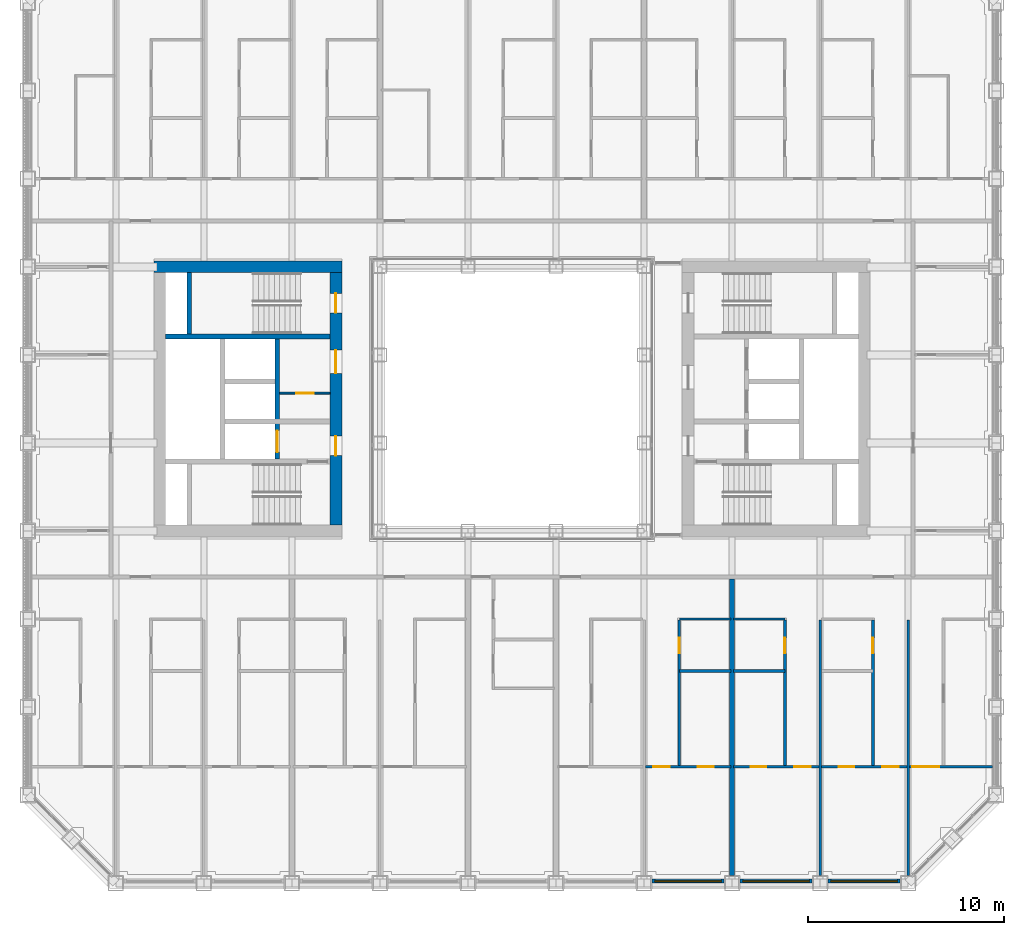
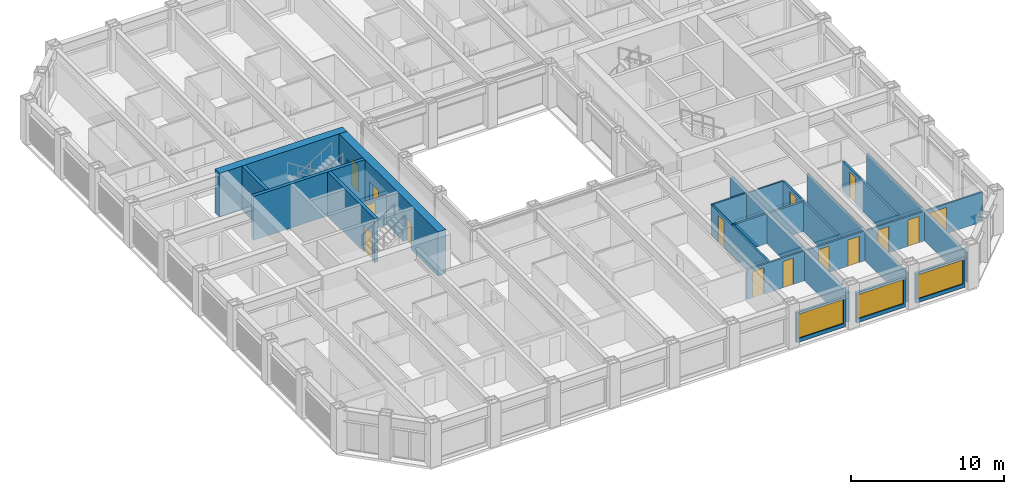
# One storey, part 11 of 21: 23 walls, 15 doors, 3 windows, 18 openings.
"""IFC4 building model written with IfcOpenShell, lengths in metres."""

from ifc_helpers import new_model, si_unit, direction, frame, frame_2d, origin, place, context, subcontext, project, spatial, rectangle, extrude, material, layer, layer_set, type_object, element, fill, save


model = new_model("IFC4")

# Units and contexts
model_context = context("Model", 3, precision=1e-05, world=origin(), true_north=direction((0.0, 1.0)))
body_context = subcontext(model_context, "Body", "Model", "MODEL_VIEW")
ifc_project = project(units=[si_unit("LENGTHUNIT", "METRE"), si_unit("AREAUNIT", "SQUARE_METRE"), si_unit("VOLUMEUNIT", "CUBIC_METRE"), si_unit("PLANEANGLEUNIT", "RADIAN"), si_unit("MASSUNIT", "GRAM", prefix="KILO")], contexts=[model_context])

# Site, building, storey
site_placement = place(None, origin())
site = spatial("IfcSite", under=ifc_project, at=site_placement, CompositionType="ELEMENT")
building_placement = place(site_placement, origin())
building = spatial("IfcBuilding", under=site, at=building_placement, Name="Msasa Ring Tower", CompositionType="ELEMENT")
storey_placement = place(building_placement, frame((0.0, 0.0, 75.5)))
storey = spatial("IfcBuildingStorey", under=building, at=storey_placement, Name="L19", CompositionType="ELEMENT", Elevation=75.5)

# Wall
ifc_material_1 = material(Name="Concrete C60/75", Category="concrete")
ifc_layer_1 = layer(ifc_material_1, 0.60009765625)
ifc_layer_set_1 = layer_set([ifc_layer_1], Name="CW1 CORE WALL 600")
wall_type_1 = type_object("IfcWallType", Name="CW1 CORE WALL 600", PredefinedType="SHEAR", material=ifc_layer_set_1)
wall_1_placement = place(storey_placement, frame((-8.699951171875, 6.75, 0.0), z_axis=(0.0, 0.0, 1.0), x_axis=(-1.0, 0.0, 0.0)))
element("IfcWall", 1, at=wall_1_placement, inside=storey, type_object=wall_type_1, Name="W core wall N L19", PredefinedType="SHEAR", context=body_context, shape_type="SweptSolid", body=[
    extrude(rectangle(XDim=9.60009765625, YDim=0.60009765625, at=frame_2d((4.800048828125, 0.0))), origin(), (0.0, 0.0, 1.0), 3.5),
])

# Wall, openings, doors
wall_2_placement = place(storey_placement, frame((-9.0, -6.449951171875, 0.0), z_axis=(0.0, 0.0, 1.0), x_axis=(0.0, 1.0, 0.0)))
wall_2 = element("IfcWall", 2, at=wall_2_placement, inside=storey, type_object=wall_type_1, Name="W core wall W L19", PredefinedType="SHEAR", context=body_context, shape_type="SweptSolid", body=[
    extrude(rectangle(XDim=12.89990234375, YDim=0.60009765625, at=frame_2d((6.449951171875, 0.0))), origin(), (0.0, 0.0, 1.0), 3.5),
])
opening_1_placement = place(wall_2_placement, frame((3.550048828125, 0.0, 0.0)))
opening_1 = element("IfcOpeningElement", 3, at=opening_1_placement, cuts=wall_2, Name="Opening RE-049", PredefinedType="OPENING", context=body_context, shape_type="SweptSolid", body=[
    extrude(rectangle(XDim=1.0, YDim=2.10009765625, at=frame_2d((0.5, 1.050048828125))), frame((0.0, 0.31005859375, 0.0), z_axis=(0.0, -1.0, 0.0), x_axis=(1.0, 0.0, 0.0)), (0.0, 0.0, 1.0), 0.6201171875),
])
opening_2_placement = place(wall_2_placement, frame((7.75, 0.0, 0.0)))
opening_2 = element("IfcOpeningElement", 4, at=opening_2_placement, cuts=wall_2, Name="Opening RE-044", PredefinedType="OPENING", context=body_context, shape_type="SweptSolid", body=[
    extrude(rectangle(XDim=1.199951171875, YDim=2.10009765625, at=frame_2d((0.60009765625, 1.050048828125))), frame((0.0, 0.31005859375, 0.0), z_axis=(0.0, -1.0, 0.0), x_axis=(1.0, 0.0, 0.0)), (0.0, 0.0, 1.0), 0.6201171875),
])
opening_3_placement = place(wall_2_placement, frame((10.85009765625, 0.0, 0.0)))
opening_3 = element("IfcOpeningElement", 5, at=opening_3_placement, cuts=wall_2, Name="Opening RE-040", PredefinedType="OPENING", context=body_context, shape_type="SweptSolid", body=[
    extrude(rectangle(XDim=1.0, YDim=2.10009765625, at=frame_2d((0.5, 1.050048828125))), frame((0.0, 0.31005859375, 0.0), z_axis=(0.0, -1.0, 0.0), x_axis=(1.0, 0.0, 0.0)), (0.0, 0.0, 1.0), 0.6201171875),
])
ifc_material_2 = material(Name="Timber door leaf in a steel frame", Category="steel")
door_type_1 = type_object("IfcDoorType", Name="D26 WIDE SERVICE ROOM DOOR 1200x2100", OperationType="SINGLE_SWING_LEFT", PredefinedType="DOOR", material=ifc_material_2)
door_1_placement = place(opening_2_placement, origin())
door_1 = element("IfcDoor", 6, at=door_1_placement, inside=storey, type_object=door_type_1, Name="Door L19-WCR", OperationType="SINGLE_SWING_RIGHT", OverallHeight=2.10009765625, OverallWidth=1.199951171875, PredefinedType="DOOR", context=body_context, shape_type="SweptSolid", body=[
    extrude(rectangle(XDim=1.199951171875, YDim=2.10009765625, at=frame_2d((0.60009765625, 1.050048828125))), frame((0.0, 0.02490234375, 0.0), z_axis=(0.0, -1.0, 0.0), x_axis=(1.0, 0.0, 0.0)), (0.0, 0.0, 1.0), 0.050048828125),
])
fill(opening_2, door_1)
ifc_material_3 = material(Name="Timber door leaf in a steel frame", Category="steel")
door_type_2 = type_object("IfcDoorType", Name="D4 LOBBY DOOR 1000x2100", OperationType="SINGLE_SWING_LEFT", PredefinedType="DOOR", material=ifc_material_3)
door_2_placement = place(opening_1_placement, origin())
door_2 = element("IfcDoor", 7, at=door_2_placement, inside=storey, type_object=door_type_2, Name="Door L19-WFFL", OperationType="SINGLE_SWING_LEFT", OverallHeight=2.10009765625, OverallWidth=1.0, PredefinedType="DOOR", context=body_context, shape_type="SweptSolid", body=[
    extrude(rectangle(XDim=1.0, YDim=2.10009765625, at=frame_2d((0.5, 1.050048828125))), frame((0.0, 0.02490234375, 0.0), z_axis=(0.0, -1.0, 0.0), x_axis=(1.0, 0.0, 0.0)), (0.0, 0.0, 1.0), 0.050048828125),
])
fill(opening_1, door_2)
ifc_material_4 = material(Name="Timber door leaf in a steel frame", Category="steel")
door_type_3 = type_object("IfcDoorType", Name="D6 STAIR DOOR 1000x2100", OperationType="SINGLE_SWING_LEFT", PredefinedType="DOOR", material=ifc_material_4)
door_3_placement = place(opening_3_placement, origin())
door_3 = element("IfcDoor", 8, at=door_3_placement, inside=storey, type_object=door_type_3, Name="Door L19-WSTB", OperationType="SINGLE_SWING_RIGHT", OverallHeight=2.10009765625, OverallWidth=1.0, PredefinedType="DOOR", context=body_context, shape_type="SweptSolid", body=[
    extrude(rectangle(XDim=1.0, YDim=2.10009765625, at=frame_2d((0.5, 1.050048828125))), frame((0.0, 0.02490234375, 0.0), z_axis=(0.0, -1.0, 0.0), x_axis=(1.0, 0.0, 0.0)), (0.0, 0.0, 1.0), 0.050048828125),
])
fill(opening_3, door_3)

# Walls
ifc_material_5 = material(Name="Concrete C60/75", Category="concrete")
ifc_layer_2 = layer(ifc_material_5, 0.25)
ifc_layer_set_2 = layer_set([ifc_layer_2], Name="CW4 CORE INNER WALL 250")
wall_type_2 = type_object("IfcWallType", Name="CW4 CORE INNER WALL 250", PredefinedType="SHEAR", material=ifc_layer_set_2)
wall_3_placement = place(storey_placement, frame((-9.300048828125, 3.199951171875, 0.0), z_axis=(0.0, 0.0, 1.0), x_axis=(-1.0, 0.0, 0.0)))
element("IfcWall", 9, at=wall_3_placement, inside=storey, type_object=wall_type_2, Name="W core wall STAIRB L19", PredefinedType="SHEAR", context=body_context, shape_type="SweptSolid", body=[
    extrude(rectangle(XDim=8.39990234375, YDim=0.25, at=frame_2d((4.199951171875, 0.0))), origin(), (0.0, 0.0, 1.0), 3.5),
])
wall_4_placement = place(storey_placement, frame((-16.5, 3.324951171875, 0.0), z_axis=(0.0, 0.0, 1.0), x_axis=(0.0, 1.0, 0.0)))
element("IfcWall", 10, at=wall_4_placement, inside=storey, type_object=wall_type_2, Name="W core wall RISERB L19", PredefinedType="SHEAR", context=body_context, shape_type="SweptSolid", body=[
    extrude(rectangle(XDim=3.125, YDim=0.25, at=frame_2d((1.5625, 0.0))), origin(), (0.0, 0.0, 1.0), 3.5),
])

# Wall, opening, door
wall_5_placement = place(storey_placement, frame((-12.0, -3.074951171875, 0.0), z_axis=(0.0, 0.0, 1.0), x_axis=(0.0, 1.0, 0.0)))
wall_5 = element("IfcWall", 11, at=wall_5_placement, inside=storey, type_object=wall_type_2, Name="W core wall LOBBY L19", PredefinedType="SHEAR", context=body_context, shape_type="SweptSolid", body=[
    extrude(rectangle(XDim=6.14990234375, YDim=0.25, at=frame_2d((3.074951171875, 0.0))), origin(), (0.0, 0.0, 1.0), 3.5),
])
opening_4_placement = place(wall_5_placement, frame((0.35009765625, 0.0, 0.0)))
opening_4 = element("IfcOpeningElement", 12, at=opening_4_placement, cuts=wall_5, Name="Opening LD1", PredefinedType="OPENING", context=body_context, shape_type="SweptSolid", body=[
    extrude(rectangle(XDim=1.10009765625, YDim=2.10009765625, at=frame_2d((0.550048828125, 1.050048828125))), frame((0.0, 0.135009765625, 0.0), z_axis=(0.0, -1.0, 0.0), x_axis=(1.0, 0.0, 0.0)), (0.0, 0.0, 1.0), 0.27001953125),
])
ifc_material_6 = material(Name="Stainless steel lift landing door", Category="steel")
door_type_4 = type_object("IfcDoorType", Name="LD1 LIFT LANDING DOOR 1100x2100", OperationType="DOUBLE_DOOR_SLIDING", PredefinedType="DOOR", material=ifc_material_6)
door_4_placement = place(opening_4_placement, origin())
door_4 = element("IfcDoor", 13, at=door_4_placement, inside=storey, type_object=door_type_4, Name="Lift landing door FL-W L19", OperationType="DOUBLE_DOOR_SLIDING", OverallHeight=2.10009765625, OverallWidth=1.10009765625, PredefinedType="DOOR", context=body_context, shape_type="SweptSolid", body=[
    extrude(rectangle(XDim=1.10009765625, YDim=2.10009765625, at=frame_2d((0.550048828125, 1.050048828125))), frame((0.0, 0.02490234375, 0.0), z_axis=(0.0, -1.0, 0.0), x_axis=(1.0, 0.0, 0.0)), (0.0, 0.0, 1.0), 0.050048828125),
])
fill(opening_4, door_4)

# Wall, opening, window
ifc_material_7 = material(Name="Terracotta rainscreen on blockwork", Category="masonry")
ifc_layer_3 = layer(ifc_material_7, 0.199951171875)
ifc_layer_set_3 = layer_set([ifc_layer_3], Name="FW1 TERRACOTTA-LINED INFILL BAY WALL 200")
wall_type_3 = type_object("IfcWallType", Name="FW1 TERRACOTTA-LINED INFILL BAY WALL 200", PredefinedType="SOLIDWALL", material=ifc_layer_set_3)
wall_6_placement = place(storey_placement, frame((7.155029296875, -24.64990234375, 0.0), z_axis=(0.0, 0.0, 1.0), x_axis=(1.0, 0.0, 0.0)))
wall_6 = element("IfcWall", 14, at=wall_6_placement, inside=storey, type_object=wall_type_3, Name="Infill bay wall S L19 06", PredefinedType="SOLIDWALL", context=body_context, shape_type="SweptSolid", body=[
    extrude(rectangle(XDim=3.68994140625, YDim=0.199951171875, at=frame_2d((1.844970703125, 0.0))), origin(), (0.0, 0.0, 1.0), 2.37890625),
])
opening_5_placement = place(wall_6_placement, frame((0.14501953125, 0.0, 0.300048828125)))
opening_5 = element("IfcOpeningElement", 15, at=opening_5_placement, cuts=wall_6, Name="Opening WN1", PredefinedType="OPENING", context=body_context, shape_type="SweptSolid", body=[
    extrude(rectangle(XDim=3.39990234375, YDim=1.928955078125, at=frame_2d((1.699951171875, 0.96435546875))), frame((0.0, 0.10986328125, 0.0), z_axis=(0.0, -1.0, 0.0), x_axis=(1.0, 0.0, 0.0)), (0.0, 0.0, 1.0), 0.219970703125),
])
ifc_material_8 = material(Name="Aluminium frame with clear glass", Category="aluminium")
window_type = type_object("IfcWindowType", Name="WN1 RESIDENCE WINDOW 3400x1929", PartitioningType="SINGLE_PANEL", PredefinedType="WINDOW", material=ifc_material_8)
window_1_placement = place(opening_5_placement, origin())
window_1 = element("IfcWindow", 16, at=window_1_placement, inside=storey, type_object=window_type, Name="Window S L19 06", OverallHeight=1.928955078125, OverallWidth=3.39990234375, PartitioningType="SINGLE_PANEL", PredefinedType="WINDOW", context=body_context, shape_type="SweptSolid", body=[
    extrude(rectangle(XDim=3.39990234375, YDim=1.928955078125, at=frame_2d((1.699951171875, 0.96435546875))), frame((0.0, 0.030029296875, 0.0), z_axis=(0.0, -1.0, 0.0), x_axis=(1.0, 0.0, 0.0)), (0.0, 0.0, 1.0), 0.06005859375),
])
fill(opening_5, window_1)

wall_7_placement = place(storey_placement, frame((11.655029296875, -24.64990234375, 0.0), z_axis=(0.0, 0.0, 1.0), x_axis=(1.0, 0.0, 0.0)))
wall_7 = element("IfcWall", 17, at=wall_7_placement, inside=storey, type_object=wall_type_3, Name="Infill bay wall S L19 07", PredefinedType="SOLIDWALL", context=body_context, shape_type="SweptSolid", body=[
    extrude(rectangle(XDim=3.68994140625, YDim=0.199951171875, at=frame_2d((1.844970703125, 0.0))), origin(), (0.0, 0.0, 1.0), 2.37890625),
])
opening_6_placement = place(wall_7_placement, frame((0.14501953125, 0.0, 0.300048828125)))
opening_6 = element("IfcOpeningElement", 18, at=opening_6_placement, cuts=wall_7, Name="Opening WN1", PredefinedType="OPENING", context=body_context, shape_type="SweptSolid", body=[
    extrude(rectangle(XDim=3.39990234375, YDim=1.928955078125, at=frame_2d((1.699951171875, 0.96435546875))), frame((0.0, 0.10986328125, 0.0), z_axis=(0.0, -1.0, 0.0), x_axis=(1.0, 0.0, 0.0)), (0.0, 0.0, 1.0), 0.219970703125),
])
window_2_placement = place(opening_6_placement, origin())
window_2 = element("IfcWindow", 19, at=window_2_placement, inside=storey, type_object=window_type, Name="Window S L19 07", OverallHeight=1.928955078125, OverallWidth=3.39990234375, PartitioningType="SINGLE_PANEL", PredefinedType="WINDOW", context=body_context, shape_type="SweptSolid", body=[
    extrude(rectangle(XDim=3.39990234375, YDim=1.928955078125, at=frame_2d((1.699951171875, 0.96435546875))), frame((0.0, 0.030029296875, 0.0), z_axis=(0.0, -1.0, 0.0), x_axis=(1.0, 0.0, 0.0)), (0.0, 0.0, 1.0), 0.06005859375),
])
fill(opening_6, window_2)

wall_8_placement = place(storey_placement, frame((16.155029296875, -24.64990234375, 0.0), z_axis=(0.0, 0.0, 1.0), x_axis=(1.0, 0.0, 0.0)))
wall_8 = element("IfcWall", 20, at=wall_8_placement, inside=storey, type_object=wall_type_3, Name="Infill bay wall S L19 08", PredefinedType="SOLIDWALL", context=body_context, shape_type="SweptSolid", body=[
    extrude(rectangle(XDim=3.68994140625, YDim=0.199951171875, at=frame_2d((1.844970703125, 0.0))), origin(), (0.0, 0.0, 1.0), 2.37890625),
])
opening_7_placement = place(wall_8_placement, frame((0.14501953125, 0.0, 0.300048828125)))
opening_7 = element("IfcOpeningElement", 21, at=opening_7_placement, cuts=wall_8, Name="Opening WN1", PredefinedType="OPENING", context=body_context, shape_type="SweptSolid", body=[
    extrude(rectangle(XDim=3.39990234375, YDim=1.928955078125, at=frame_2d((1.699951171875, 0.96435546875))), frame((0.0, 0.10986328125, 0.0), z_axis=(0.0, -1.0, 0.0), x_axis=(1.0, 0.0, 0.0)), (0.0, 0.0, 1.0), 0.219970703125),
])
window_3_placement = place(opening_7_placement, origin())
window_3 = element("IfcWindow", 22, at=window_3_placement, inside=storey, type_object=window_type, Name="Window S L19 08", OverallHeight=1.928955078125, OverallWidth=3.39990234375, PartitioningType="SINGLE_PANEL", PredefinedType="WINDOW", context=body_context, shape_type="SweptSolid", body=[
    extrude(rectangle(XDim=3.39990234375, YDim=1.928955078125, at=frame_2d((1.699951171875, 0.96435546875))), frame((0.0, 0.030029296875, 0.0), z_axis=(0.0, -1.0, 0.0), x_axis=(1.0, 0.0, 0.0)), (0.0, 0.0, 1.0), 0.06005859375),
])
fill(opening_7, window_3)

# Wall, opening, door
ifc_material_9 = material(Name="Gypsum board on steel studs", Category="steel")
ifc_layer_4 = layer(ifc_material_9, 0.10009765625)
ifc_layer_set_4 = layer_set([ifc_layer_4], Name="PT2 STUD PARTITION 100")
wall_type_4 = type_object("IfcWallType", Name="PT2 STUD PARTITION 100", PredefinedType="PARTITIONING", material=ifc_layer_set_4)
wall_9_placement = place(storey_placement, frame((-11.875, 0.300048828125, 0.0), z_axis=(0.0, 0.0, 1.0), x_axis=(1.0, 0.0, 0.0)))
wall_9 = element("IfcWall", 23, at=wall_9_placement, inside=storey, type_object=wall_type_4, Name="Partition L19-WCP", PredefinedType="PARTITIONING", context=body_context, shape_type="SweptSolid", body=[
    extrude(rectangle(XDim=2.574951171875, YDim=0.10009765625, at=frame_2d((1.28759765625, 0.0))), origin(), (0.0, 0.0, 1.0), 2.373291015625),
])
opening_8_placement = place(wall_9_placement, frame((0.83740234375, 0.0, 0.0)))
opening_8 = element("IfcOpeningElement", 24, at=opening_8_placement, cuts=wall_9, Name="Opening RE-046", PredefinedType="OPENING", context=body_context, shape_type="SweptSolid", body=[
    extrude(rectangle(XDim=0.89990234375, YDim=2.10009765625, at=frame_2d((0.449951171875, 1.050048828125))), frame((0.0, 0.06005859375, 0.0), z_axis=(0.0, -1.0, 0.0), x_axis=(1.0, 0.0, 0.0)), (0.0, 0.0, 1.0), 0.1201171875),
])
ifc_material_10 = material(Name="Timber door leaf in a steel frame", Category="steel")
door_type_5 = type_object("IfcDoorType", Name="D22 INTERNAL HALL DOOR 900x2100", OperationType="SINGLE_SWING_LEFT", PredefinedType="DOOR", material=ifc_material_10)
door_5_placement = place(opening_8_placement, origin())
door_5 = element("IfcDoor", 25, at=door_5_placement, inside=storey, type_object=door_type_5, Name="Door L19-WCP", OperationType="SINGLE_SWING_LEFT", OverallHeight=2.10009765625, OverallWidth=0.89990234375, PredefinedType="DOOR", context=body_context, shape_type="SweptSolid", body=[
    extrude(rectangle(XDim=0.89990234375, YDim=2.10009765625, at=frame_2d((0.449951171875, 1.050048828125))), frame((0.0, 0.02490234375, 0.0), z_axis=(0.0, -1.0, 0.0), x_axis=(1.0, 0.0, 0.0)), (0.0, 0.0, 1.0), 0.050048828125),
])
fill(opening_8, door_5)

# Wall
ifc_material_11 = material(Name="Dense concrete blockwork, plastered both faces", Category="masonry")
ifc_layer_5 = layer(ifc_material_11, 0.25)
ifc_layer_set_5 = layer_set([ifc_layer_5], Name="PT3 APARTMENT SEPARATING WALL 250")
wall_type_5 = type_object("IfcWallType", Name="PT3 APARTMENT SEPARATING WALL 250", PredefinedType="PARTITIONING", material=ifc_layer_set_5)
wall_10_placement = place(storey_placement, frame((11.25, -24.35009765625, 0.0), z_axis=(0.0, 0.0, 1.0), x_axis=(0.0, 1.0, 0.0)))
element("IfcWall", 26, at=wall_10_placement, inside=storey, type_object=wall_type_5, Name="Party wall L19-PWS+11.25", PredefinedType="PARTITIONING", context=body_context, shape_type="SweptSolid", body=[
    extrude(rectangle(XDim=15.150146484375, YDim=0.25, at=frame_2d((7.5751953125, 0.0))), origin(), (0.0, 0.0, 1.0), 2.373291015625),
])

# Wall, opening, door
ifc_material_12 = material(Name="Moisture-resistant board on steel studs with a concealed cistern and pipe void, tiled", Category="steel")
ifc_layer_6 = layer(ifc_material_12, 0.14990234375)
ifc_layer_set_6 = layer_set([ifc_layer_6], Name="PT4 BATHROOM WET WALL 150")
wall_type_6 = type_object("IfcWallType", Name="PT4 BATHROOM WET WALL 150", PredefinedType="PARTITIONING", material=ifc_layer_set_6)
wall_11_placement = place(storey_placement, frame((8.550048828125, -18.8125, 0.0), z_axis=(0.0, 0.0, 1.0), x_axis=(0.0, 1.0, 0.0)))
wall_11 = element("IfcWall", 27, at=wall_11_placement, inside=storey, type_object=wall_type_6, Name="Partition L19-US03SX1", PredefinedType="PARTITIONING", context=body_context, shape_type="SweptSolid", body=[
    extrude(rectangle(XDim=7.5, YDim=0.14990234375, at=frame_2d((3.75, 0.0))), origin(), (0.0, 0.0, 1.0), 2.373291015625),
])
opening_9_placement = place(wall_11_placement, frame((5.800048828125, 0.0, 0.0)))
opening_9 = element("IfcOpeningElement", 28, at=opening_9_placement, cuts=wall_11, Name="Opening RE-065", PredefinedType="OPENING", context=body_context, shape_type="SweptSolid", body=[
    extrude(rectangle(XDim=0.800048828125, YDim=2.10009765625, at=frame_2d((0.39990234375, 1.050048828125))), frame((0.0, 0.0849609375, 0.0), z_axis=(0.0, -1.0, 0.0), x_axis=(1.0, 0.0, 0.0)), (0.0, 0.0, 1.0), 0.169921875),
])
ifc_material_13 = material(Name="Timber door leaf in a steel frame", Category="steel")
door_type_6 = type_object("IfcDoorType", Name="D21 POCKET SLIDING BATHROOM DOOR 800x2100", OperationType="SINGLE_SWING_LEFT", PredefinedType="DOOR", material=ifc_material_13)
door_6_placement = place(opening_9_placement, origin())
door_6 = element("IfcDoor", 29, at=door_6_placement, inside=storey, type_object=door_type_6, Name="Door L19-US03B1", OperationType="SINGLE_SWING_RIGHT", OverallHeight=2.10009765625, OverallWidth=0.800048828125, PredefinedType="DOOR", context=body_context, shape_type="SweptSolid", body=[
    extrude(rectangle(XDim=0.800048828125, YDim=2.10009765625, at=frame_2d((0.39990234375, 1.050048828125))), frame((0.0, 0.02490234375, 0.0), z_axis=(0.0, -1.0, 0.0), x_axis=(1.0, 0.0, 0.0)), (0.0, 0.0, 1.0), 0.050048828125),
])
fill(opening_9, door_6)

# Wall
wall_12_placement = place(storey_placement, frame((8.550048828125, -13.91259765625, 0.0), z_axis=(0.0, 0.0, 1.0), x_axis=(1.0, 0.0, 0.0)))
element("IfcWall", 30, at=wall_12_placement, inside=storey, type_object=wall_type_6, Name="Partition L19-US03SB1", PredefinedType="PARTITIONING", context=body_context, shape_type="SweptSolid", body=[
    extrude(rectangle(XDim=2.632568359375, YDim=0.14990234375, at=frame_2d((1.31640625, 0.0))), origin(), (0.0, 0.0, 1.0), 2.373291015625),
])

# Wall, opening, door
wall_13_placement = place(storey_placement, frame((18.449951171875, -18.8125, 0.0), z_axis=(0.0, 0.0, 1.0), x_axis=(0.0, 1.0, 0.0)))
wall_13 = element("IfcWall", 31, at=wall_13_placement, inside=storey, type_object=wall_type_6, Name="Partition L19-US04SX1", PredefinedType="PARTITIONING", context=body_context, shape_type="SweptSolid", body=[
    extrude(rectangle(XDim=7.5, YDim=0.14990234375, at=frame_2d((3.75, 0.0))), origin(), (0.0, 0.0, 1.0), 2.373291015625),
])
opening_10_placement = place(wall_13_placement, frame((5.800048828125, 0.0, 0.0)))
opening_10 = element("IfcOpeningElement", 32, at=opening_10_placement, cuts=wall_13, Name="Opening RE-067", PredefinedType="OPENING", context=body_context, shape_type="SweptSolid", body=[
    extrude(rectangle(XDim=0.800048828125, YDim=2.10009765625, at=frame_2d((0.39990234375, 1.050048828125))), frame((0.0, 0.0849609375, 0.0), z_axis=(0.0, -1.0, 0.0), x_axis=(1.0, 0.0, 0.0)), (0.0, 0.0, 1.0), 0.169921875),
])
door_7_placement = place(opening_10_placement, origin())
door_7 = element("IfcDoor", 33, at=door_7_placement, inside=storey, type_object=door_type_6, Name="Door L19-US04B1", OperationType="SINGLE_SWING_RIGHT", OverallHeight=2.10009765625, OverallWidth=0.800048828125, PredefinedType="DOOR", context=body_context, shape_type="SweptSolid", body=[
    extrude(rectangle(XDim=0.800048828125, YDim=2.10009765625, at=frame_2d((0.39990234375, 1.050048828125))), frame((0.0, 0.02490234375, 0.0), z_axis=(0.0, -1.0, 0.0), x_axis=(1.0, 0.0, 0.0)), (0.0, 0.0, 1.0), 0.050048828125),
])
fill(opening_10, door_7)

wall_14_placement = place(storey_placement, frame((13.949951171875, -18.8125, 0.0), z_axis=(0.0, 0.0, 1.0), x_axis=(0.0, 1.0, 0.0)))
wall_14 = element("IfcWall", 34, at=wall_14_placement, inside=storey, type_object=wall_type_6, Name="Partition L19-US04SX2", PredefinedType="PARTITIONING", context=body_context, shape_type="SweptSolid", body=[
    extrude(rectangle(XDim=7.5, YDim=0.14990234375, at=frame_2d((3.75, 0.0))), origin(), (0.0, 0.0, 1.0), 2.373291015625),
])
opening_11_placement = place(wall_14_placement, frame((5.800048828125, 0.0, 0.0)))
opening_11 = element("IfcOpeningElement", 35, at=opening_11_placement, cuts=wall_14, Name="Opening RE-066", PredefinedType="OPENING", context=body_context, shape_type="SweptSolid", body=[
    extrude(rectangle(XDim=0.800048828125, YDim=2.10009765625, at=frame_2d((0.39990234375, 1.050048828125))), frame((0.0, 0.0849609375, 0.0), z_axis=(0.0, -1.0, 0.0), x_axis=(1.0, 0.0, 0.0)), (0.0, 0.0, 1.0), 0.169921875),
])
door_8_placement = place(opening_11_placement, origin())
door_8 = element("IfcDoor", 36, at=door_8_placement, inside=storey, type_object=door_type_6, Name="Door L19-US04B2", OperationType="SINGLE_SWING_RIGHT", OverallHeight=2.10009765625, OverallWidth=0.800048828125, PredefinedType="DOOR", context=body_context, shape_type="SweptSolid", body=[
    extrude(rectangle(XDim=0.800048828125, YDim=2.10009765625, at=frame_2d((0.39990234375, 1.050048828125))), frame((0.0, 0.02490234375, 0.0), z_axis=(0.0, -1.0, 0.0), x_axis=(1.0, 0.0, 0.0)), (0.0, 0.0, 1.0), 0.050048828125),
])
fill(opening_11, door_8)

# Walls
wall_15_placement = place(storey_placement, frame((11.3173828125, -13.91259765625, 0.0), z_axis=(0.0, 0.0, 1.0), x_axis=(1.0, 0.0, 0.0)))
element("IfcWall", 37, at=wall_15_placement, inside=storey, type_object=wall_type_6, Name="Partition L19-US04SB2", PredefinedType="PARTITIONING", context=body_context, shape_type="SweptSolid", body=[
    extrude(rectangle(XDim=2.632568359375, YDim=0.14990234375, at=frame_2d((1.31640625, 0.0))), origin(), (0.0, 0.0, 1.0), 2.373291015625),
])
ifc_material_14 = material(Name="Two layers of acoustic board each face on steel studs, mineral wool", Category="steel")
ifc_layer_7 = layer(ifc_material_14, 0.125)
ifc_layer_set_7 = layer_set([ifc_layer_7], Name="PT6 ACOUSTIC DOUBLE-BOARD PARTITION 125")
wall_type_7 = type_object("IfcWallType", Name="PT6 ACOUSTIC DOUBLE-BOARD PARTITION 125", PredefinedType="PARTITIONING", material=ifc_layer_set_7)
wall_16_placement = place(storey_placement, frame((8.550048828125, -11.25, 0.0), z_axis=(0.0, 0.0, 1.0), x_axis=(1.0, 0.0, 0.0)))
element("IfcWall", 38, at=wall_16_placement, inside=storey, type_object=wall_type_7, Name="Partition L19-US03HY1", PredefinedType="PARTITIONING", context=body_context, shape_type="SweptSolid", body=[
    extrude(rectangle(XDim=2.632568359375, YDim=0.125, at=frame_2d((1.31640625, 0.0))), origin(), (0.0, 0.0, 1.0), 2.373291015625),
])

# Wall, openings, doors
wall_17_placement = place(storey_placement, frame((6.8125, -18.8125, 0.0), z_axis=(0.0, 0.0, 1.0), x_axis=(1.0, 0.0, 0.0)))
wall_17 = element("IfcWall", 39, at=wall_17_placement, inside=storey, type_object=wall_type_7, Name="Partition L19-US03SY1", PredefinedType="PARTITIONING", context=body_context, shape_type="SweptSolid", body=[
    extrude(rectangle(XDim=4.3701171875, YDim=0.125, at=frame_2d((2.18505859375, 0.0))), origin(), (0.0, 0.0, 1.0), 2.373291015625),
])
opening_12_placement = place(wall_17_placement, frame((0.41259765625, 0.0, 0.0)))
opening_12 = element("IfcOpeningElement", 40, at=opening_12_placement, cuts=wall_17, Name="Opening RE-082", PredefinedType="OPENING", context=body_context, shape_type="SweptSolid", body=[
    extrude(rectangle(XDim=0.85009765625, YDim=2.10009765625, at=frame_2d((0.425048828125, 1.050048828125))), frame((0.0, 0.072509765625, 0.0), z_axis=(0.0, -1.0, 0.0), x_axis=(1.0, 0.0, 0.0)), (0.0, 0.0, 1.0), 0.14501953125),
])
opening_13_placement = place(wall_17_placement, frame((2.693603515625, 0.0, 0.0)))
opening_13 = element("IfcOpeningElement", 41, at=opening_13_placement, cuts=wall_17, Name="Opening RE-083", PredefinedType="OPENING", context=body_context, shape_type="SweptSolid", body=[
    extrude(rectangle(XDim=0.800048828125, YDim=2.10009765625, at=frame_2d((0.39990234375, 1.050048828125))), frame((0.0, 0.072509765625, 0.0), z_axis=(0.0, -1.0, 0.0), x_axis=(1.0, 0.0, 0.0)), (0.0, 0.0, 1.0), 0.14501953125),
])
ifc_material_15 = material(Name="Timber door leaf in a steel frame", Category="steel")
door_type_7 = type_object("IfcDoorType", Name="D14 BEDROOM DOOR 850x2100", OperationType="SINGLE_SWING_LEFT", PredefinedType="DOOR", material=ifc_material_15)
door_9_placement = place(opening_12_placement, origin())
door_9 = element("IfcDoor", 42, at=door_9_placement, inside=storey, type_object=door_type_7, Name="Door L19-US03R1", OperationType="SINGLE_SWING_LEFT", OverallHeight=2.10009765625, OverallWidth=0.85009765625, PredefinedType="DOOR", context=body_context, shape_type="SweptSolid", body=[
    extrude(rectangle(XDim=0.85009765625, YDim=2.10009765625, at=frame_2d((0.425048828125, 1.050048828125))), frame((0.0, 0.02490234375, 0.0), z_axis=(0.0, -1.0, 0.0), x_axis=(1.0, 0.0, 0.0)), (0.0, 0.0, 1.0), 0.050048828125),
])
fill(opening_12, door_9)
ifc_material_16 = material(Name="Timber door leaf in a steel frame", Category="steel")
door_type_8 = type_object("IfcDoorType", Name="D60 DRESSING ROOM DOOR 800x2100", OperationType="SINGLE_SWING_LEFT", PredefinedType="DOOR", material=ifc_material_16)
door_10_placement = place(opening_13_placement, origin())
door_10 = element("IfcDoor", 43, at=door_10_placement, inside=storey, type_object=door_type_8, Name="Door L19-US03W1", OperationType="SINGLE_SWING_RIGHT", OverallHeight=2.10009765625, OverallWidth=0.800048828125, PredefinedType="DOOR", context=body_context, shape_type="SweptSolid", body=[
    extrude(rectangle(XDim=0.800048828125, YDim=2.10009765625, at=frame_2d((0.39990234375, 1.050048828125))), frame((0.0, 0.02490234375, 0.0), z_axis=(0.0, -1.0, 0.0), x_axis=(1.0, 0.0, 0.0)), (0.0, 0.0, 1.0), 0.050048828125),
])
fill(opening_13, door_10)

# Wall, opening, door
wall_18_placement = place(storey_placement, frame((20.3125, -18.8125, 0.0), z_axis=(0.0, 0.0, 1.0), x_axis=(1.0, 0.0, 0.0)))
wall_18 = element("IfcWall", 44, at=wall_18_placement, inside=storey, type_object=wall_type_7, Name="Partition L19-US04SY0", PredefinedType="PARTITIONING", context=body_context, shape_type="SweptSolid", body=[
    extrude(rectangle(XDim=4.237548828125, YDim=0.125, at=frame_2d((2.11865234375, 0.0))), origin(), (0.0, 0.0, 1.0), 2.373291015625),
])
opening_14_placement = place(wall_18_placement, frame((0.137451171875, 0.0, 0.0)))
opening_14 = element("IfcOpeningElement", 45, at=opening_14_placement, cuts=wall_18, Name="Opening RE-088", PredefinedType="OPENING", context=body_context, shape_type="SweptSolid", body=[
    extrude(rectangle(XDim=1.39990234375, YDim=2.10009765625, at=frame_2d((0.699951171875, 1.050048828125))), frame((0.0, 0.072509765625, 0.0), z_axis=(0.0, -1.0, 0.0), x_axis=(1.0, 0.0, 0.0)), (0.0, 0.0, 1.0), 0.14501953125),
])
ifc_material_17 = material(Name="Timber door leaf in a steel frame", Category="steel")
door_type_9 = type_object("IfcDoorType", Name="D15 LIVING ROOM PAIR OF GLAZED DOORS 1400x2100", OperationType="SINGLE_SWING_LEFT", PredefinedType="DOOR", material=ifc_material_17)
door_11_placement = place(opening_14_placement, origin())
door_11 = element("IfcDoor", 46, at=door_11_placement, inside=storey, type_object=door_type_9, Name="Door L19-US04L", OperationType="SINGLE_SWING_LEFT", OverallHeight=2.10009765625, OverallWidth=1.39990234375, PredefinedType="DOOR", context=body_context, shape_type="SweptSolid", body=[
    extrude(rectangle(XDim=1.39990234375, YDim=2.10009765625, at=frame_2d((0.699951171875, 1.050048828125))), frame((0.0, 0.02490234375, 0.0), z_axis=(0.0, -1.0, 0.0), x_axis=(1.0, 0.0, 0.0)), (0.0, 0.0, 1.0), 0.050048828125),
])
fill(opening_14, door_11)

# Wall
wall_19_placement = place(storey_placement, frame((20.25, -24.35009765625, 0.0), z_axis=(0.0, 0.0, 1.0), x_axis=(0.0, 1.0, 0.0)))
element("IfcWall", 47, at=wall_19_placement, inside=storey, type_object=wall_type_7, Name="Partition L19-US04P1", PredefinedType="PARTITIONING", context=body_context, shape_type="SweptSolid", body=[
    extrude(rectangle(XDim=13.03759765625, YDim=0.125, at=frame_2d((6.518798828125, 0.0))), origin(), (0.0, 0.0, 1.0), 2.373291015625),
])

# Wall, openings, doors
wall_20_placement = place(storey_placement, frame((15.8125, -18.8125, 0.0), z_axis=(0.0, 0.0, 1.0), x_axis=(1.0, 0.0, 0.0)))
wall_20 = element("IfcWall", 48, at=wall_20_placement, inside=storey, type_object=wall_type_7, Name="Partition L19-US04SY1", PredefinedType="PARTITIONING", context=body_context, shape_type="SweptSolid", body=[
    extrude(rectangle(XDim=4.375, YDim=0.125, at=frame_2d((2.1875, 0.0))), origin(), (0.0, 0.0, 1.0), 2.373291015625),
])
opening_15_placement = place(wall_20_placement, frame((3.112548828125, 0.0, 0.0)))
opening_15 = element("IfcOpeningElement", 49, at=opening_15_placement, cuts=wall_20, Name="Opening RE-087", PredefinedType="OPENING", context=body_context, shape_type="SweptSolid", body=[
    extrude(rectangle(XDim=0.85009765625, YDim=2.10009765625, at=frame_2d((0.425048828125, 1.050048828125))), frame((0.0, 0.072509765625, 0.0), z_axis=(0.0, -1.0, 0.0), x_axis=(1.0, 0.0, 0.0)), (0.0, 0.0, 1.0), 0.14501953125),
])
opening_16_placement = place(wall_20_placement, frame((0.88134765625, 0.0, 0.0)))
opening_16 = element("IfcOpeningElement", 50, at=opening_16_placement, cuts=wall_20, Name="Opening RE-086", PredefinedType="OPENING", context=body_context, shape_type="SweptSolid", body=[
    extrude(rectangle(XDim=0.800048828125, YDim=2.10009765625, at=frame_2d((0.39990234375, 1.050048828125))), frame((0.0, 0.072509765625, 0.0), z_axis=(0.0, -1.0, 0.0), x_axis=(1.0, 0.0, 0.0)), (0.0, 0.0, 1.0), 0.14501953125),
])
door_12_placement = place(opening_15_placement, origin())
door_12 = element("IfcDoor", 51, at=door_12_placement, inside=storey, type_object=door_type_7, Name="Door L19-US04R1", OperationType="SINGLE_SWING_RIGHT", OverallHeight=2.10009765625, OverallWidth=0.85009765625, PredefinedType="DOOR", context=body_context, shape_type="SweptSolid", body=[
    extrude(rectangle(XDim=0.85009765625, YDim=2.10009765625, at=frame_2d((0.425048828125, 1.050048828125))), frame((0.0, 0.02490234375, 0.0), z_axis=(0.0, -1.0, 0.0), x_axis=(1.0, 0.0, 0.0)), (0.0, 0.0, 1.0), 0.050048828125),
])
fill(opening_15, door_12)
door_13_placement = place(opening_16_placement, origin())
door_13 = element("IfcDoor", 52, at=door_13_placement, inside=storey, type_object=door_type_8, Name="Door L19-US04W1", OperationType="SINGLE_SWING_LEFT", OverallHeight=2.10009765625, OverallWidth=0.800048828125, PredefinedType="DOOR", context=body_context, shape_type="SweptSolid", body=[
    extrude(rectangle(XDim=0.800048828125, YDim=2.10009765625, at=frame_2d((0.39990234375, 1.050048828125))), frame((0.0, 0.02490234375, 0.0), z_axis=(0.0, -1.0, 0.0), x_axis=(1.0, 0.0, 0.0)), (0.0, 0.0, 1.0), 0.050048828125),
])
fill(opening_16, door_13)

# Walls
wall_21_placement = place(storey_placement, frame((15.75, -24.35009765625, 0.0), z_axis=(0.0, 0.0, 1.0), x_axis=(0.0, 1.0, 0.0)))
element("IfcWall", 53, at=wall_21_placement, inside=storey, type_object=wall_type_7, Name="Partition L19-US04P2", PredefinedType="PARTITIONING", context=body_context, shape_type="SweptSolid", body=[
    extrude(rectangle(XDim=13.03759765625, YDim=0.125, at=frame_2d((6.518798828125, 0.0))), origin(), (0.0, 0.0, 1.0), 2.373291015625),
])
wall_22_placement = place(storey_placement, frame((11.3173828125, -11.25, 0.0), z_axis=(0.0, 0.0, 1.0), x_axis=(1.0, 0.0, 0.0)))
element("IfcWall", 54, at=wall_22_placement, inside=storey, type_object=wall_type_7, Name="Partition L19-US04HY2", PredefinedType="PARTITIONING", context=body_context, shape_type="SweptSolid", body=[
    extrude(rectangle(XDim=2.632568359375, YDim=0.125, at=frame_2d((1.31640625, 0.0))), origin(), (0.0, 0.0, 1.0), 2.373291015625),
])

# Wall, openings, doors
wall_23_placement = place(storey_placement, frame((11.3173828125, -18.8125, 0.0), z_axis=(0.0, 0.0, 1.0), x_axis=(1.0, 0.0, 0.0)))
wall_23 = element("IfcWall", 55, at=wall_23_placement, inside=storey, type_object=wall_type_7, Name="Partition L19-US04SY2", PredefinedType="PARTITIONING", context=body_context, shape_type="SweptSolid", body=[
    extrude(rectangle(XDim=4.3701171875, YDim=0.125, at=frame_2d((2.18505859375, 0.0))), origin(), (0.0, 0.0, 1.0), 2.373291015625),
])
opening_17_placement = place(wall_23_placement, frame((3.107421875, 0.0, 0.0)))
opening_17 = element("IfcOpeningElement", 56, at=opening_17_placement, cuts=wall_23, Name="Opening RE-085", PredefinedType="OPENING", context=body_context, shape_type="SweptSolid", body=[
    extrude(rectangle(XDim=0.85009765625, YDim=2.10009765625, at=frame_2d((0.425048828125, 1.050048828125))), frame((0.0, 0.072509765625, 0.0), z_axis=(0.0, -1.0, 0.0), x_axis=(1.0, 0.0, 0.0)), (0.0, 0.0, 1.0), 0.14501953125),
])
opening_18_placement = place(wall_23_placement, frame((0.876220703125, 0.0, 0.0)))
opening_18 = element("IfcOpeningElement", 57, at=opening_18_placement, cuts=wall_23, Name="Opening RE-084", PredefinedType="OPENING", context=body_context, shape_type="SweptSolid", body=[
    extrude(rectangle(XDim=0.800048828125, YDim=2.10009765625, at=frame_2d((0.39990234375, 1.050048828125))), frame((0.0, 0.072509765625, 0.0), z_axis=(0.0, -1.0, 0.0), x_axis=(1.0, 0.0, 0.0)), (0.0, 0.0, 1.0), 0.14501953125),
])
door_14_placement = place(opening_17_placement, origin())
door_14 = element("IfcDoor", 58, at=door_14_placement, inside=storey, type_object=door_type_7, Name="Door L19-US04R2", OperationType="SINGLE_SWING_RIGHT", OverallHeight=2.10009765625, OverallWidth=0.85009765625, PredefinedType="DOOR", context=body_context, shape_type="SweptSolid", body=[
    extrude(rectangle(XDim=0.85009765625, YDim=2.10009765625, at=frame_2d((0.425048828125, 1.050048828125))), frame((0.0, 0.02490234375, 0.0), z_axis=(0.0, -1.0, 0.0), x_axis=(1.0, 0.0, 0.0)), (0.0, 0.0, 1.0), 0.050048828125),
])
fill(opening_17, door_14)
door_15_placement = place(opening_18_placement, origin())
door_15 = element("IfcDoor", 59, at=door_15_placement, inside=storey, type_object=door_type_8, Name="Door L19-US04W2", OperationType="SINGLE_SWING_LEFT", OverallHeight=2.10009765625, OverallWidth=0.800048828125, PredefinedType="DOOR", context=body_context, shape_type="SweptSolid", body=[
    extrude(rectangle(XDim=0.800048828125, YDim=2.10009765625, at=frame_2d((0.39990234375, 1.050048828125))), frame((0.0, 0.02490234375, 0.0), z_axis=(0.0, -1.0, 0.0), x_axis=(1.0, 0.0, 0.0)), (0.0, 0.0, 1.0), 0.050048828125),
])
fill(opening_18, door_15)

save(model, "model.ifc")
